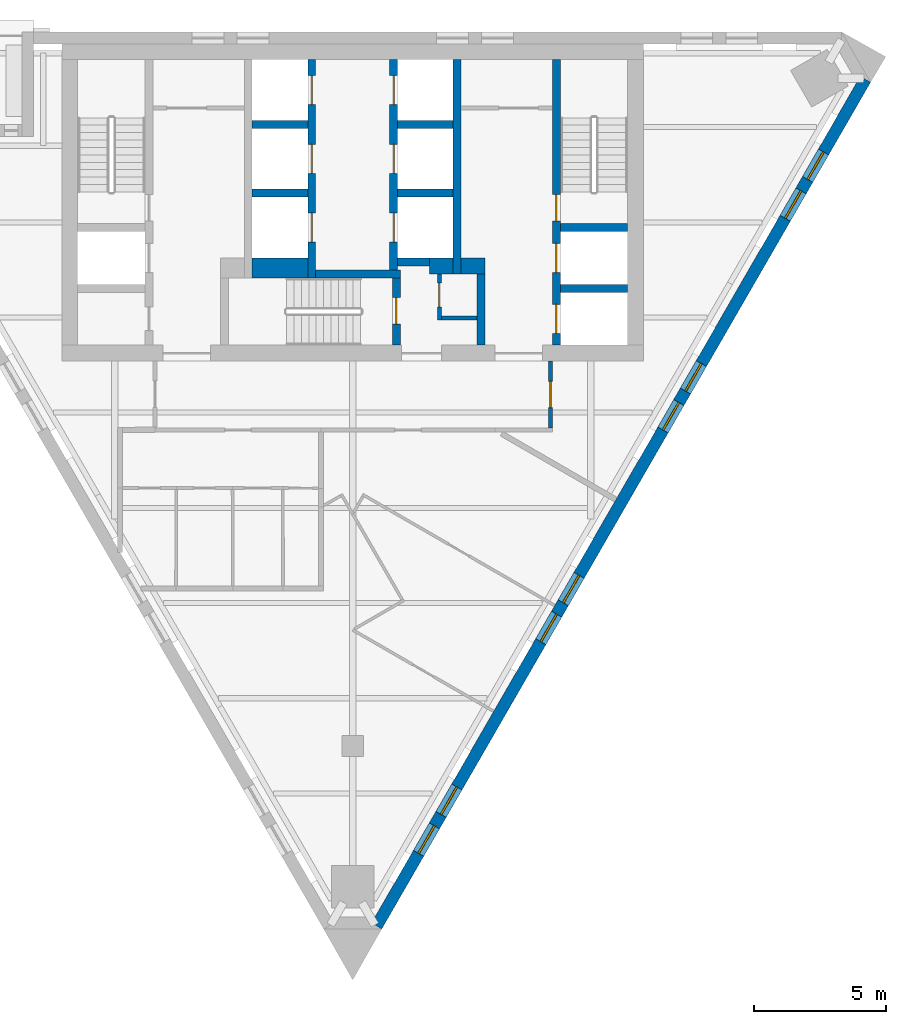
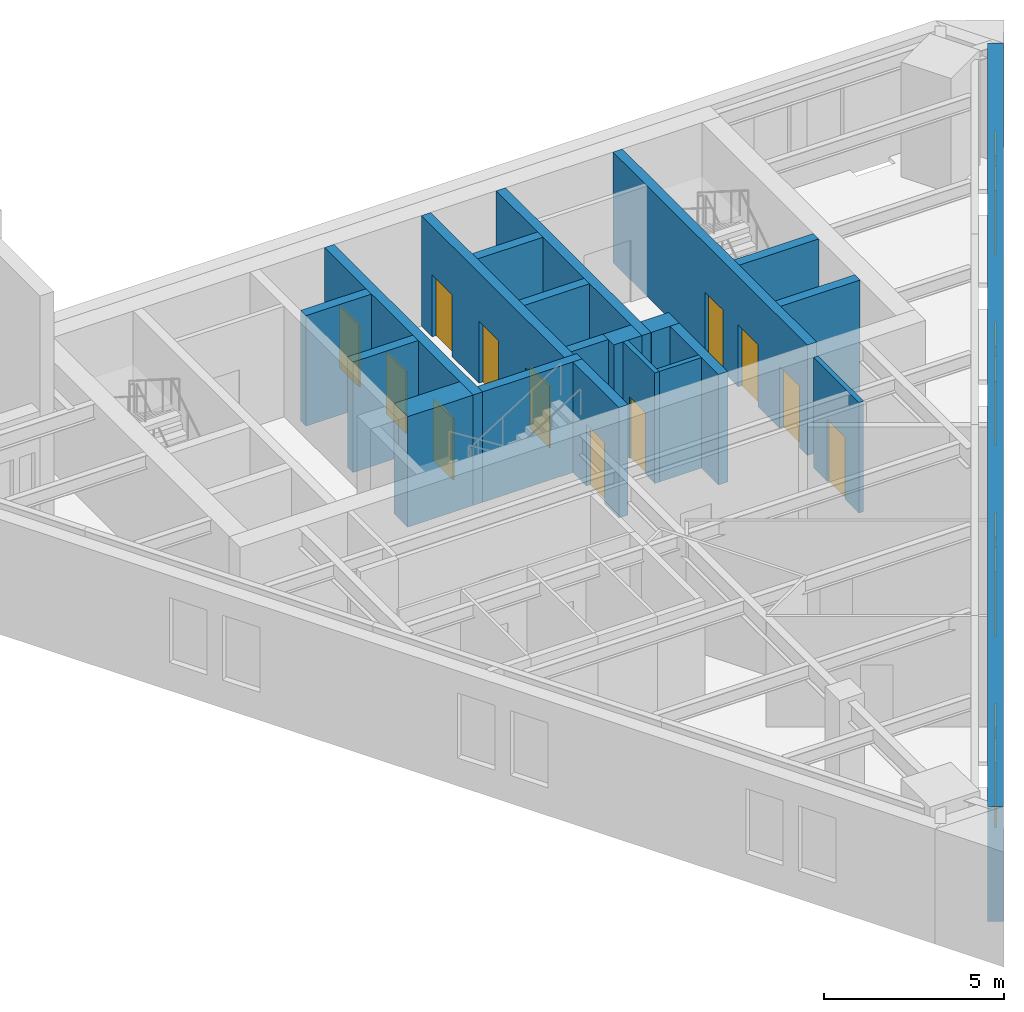
# One storey, part 4 of 6: 21 walls, 12 doors, 8 windows, 20 openings.
"""IFC4 building model written with IfcOpenShell, lengths in metres."""

from ifc_helpers import new_model, si_unit, direction, frame, frame_2d, origin, place, context, subcontext, project, spatial, polyline, rectangle, outline, extrude, material, layer, layer_set, type_object, element, fill, save


model = new_model("IFC4")

# Units and contexts
model_context = context("Model", 3, precision=1e-05, world=origin(), true_north=direction((0.0, 1.0)))
body_context = subcontext(model_context, "Body", "Model", "MODEL_VIEW")
ifc_project = project(units=[si_unit("LENGTHUNIT", "METRE"), si_unit("AREAUNIT", "SQUARE_METRE"), si_unit("VOLUMEUNIT", "CUBIC_METRE"), si_unit("PLANEANGLEUNIT", "RADIAN"), si_unit("MASSUNIT", "GRAM", prefix="KILO")], contexts=[model_context])

# Site, building, storey
site_placement = place(None, origin())
site = spatial("IfcSite", under=ifc_project, at=site_placement, CompositionType="ELEMENT")
building_placement = place(site_placement, origin())
building = spatial("IfcBuilding", under=site, at=building_placement, Name="Aloe Facet Convention Tower", CompositionType="ELEMENT")
storey_placement = place(building_placement, frame((0.0, 0.0, 250.39990234375)))
storey = spatial("IfcBuildingStorey", under=building, at=storey_placement, Name="L61", CompositionType="ELEMENT", Elevation=250.39990234375)

# Wall, opening, door
ifc_material_1 = material(Name="Concrete blockwork partition", Category="masonry")
ifc_layer_1 = layer(ifc_material_1, 0.14990234375)
ifc_layer_set_1 = layer_set([ifc_layer_1], Name="CR-W-PART150")
wall_type_1 = type_object("IfcWallType", Name="CR-W-PART150", PredefinedType="PARTITIONING", material=ifc_layer_set_1)
wall_1_placement = place(storey_placement, frame((83.27490234375, 125.85009765625, 0.0), z_axis=(0.0, 0.0, 1.0), x_axis=(0.0, -1.0, 0.0)))
wall_1 = element("IfcWall", 1, at=wall_1_placement, inside=storey, type_object=wall_type_1, Name="Core partition L61-022", PredefinedType="PARTITIONING", context=body_context, shape_type="SweptSolid", body=[
    extrude(rectangle(XDim=1.75, YDim=0.14990234375, at=frame_2d((0.875, 0.0))), origin(), (0.0, 0.0, 1.0), 3.75),
])
opening_1_placement = place(wall_1_placement, frame((0.35009765625, 0.0, 0.0)))
opening_1 = element("IfcOpeningElement", 2, at=opening_1_placement, cuts=wall_1, Name="Opening L61-CD12", PredefinedType="OPENING", context=body_context, shape_type="SweptSolid", body=[
    extrude(rectangle(XDim=0.89990234375, YDim=2.10009765625, at=frame_2d((0.449951171875, 1.050048828125))), frame((0.0, 0.0849609375, 0.0), z_axis=(0.0, -1.0, 0.0), x_axis=(1.0, 0.0, 0.0)), (0.0, 0.0, 1.0), 0.169921875),
])
ifc_material_2 = material(Name="Steel fire-resisting door set FD60", Category="steel")
door_type_1 = type_object("IfcDoorType", Name="CR-D-REFUGE-900-FD60-SRIGHT", OperationType="SINGLE_SWING_RIGHT", PredefinedType="DOOR", material=ifc_material_2)
door_1_placement = place(opening_1_placement, origin())
door_1 = element("IfcDoor", 3, at=door_1_placement, inside=storey, type_object=door_type_1, Name="Core door L61-CD12", OperationType="SINGLE_SWING_RIGHT", OverallHeight=2.10009765625, OverallWidth=0.89990234375, PredefinedType="DOOR", context=body_context, shape_type="SweptSolid", body=[
    extrude(rectangle(XDim=0.89990234375, YDim=2.10009765625, at=frame_2d((0.449951171875, 1.050048828125))), frame((0.0, 0.02490234375, 0.0), z_axis=(0.0, -1.0, 0.0), x_axis=(1.0, 0.0, 0.0)), (0.0, 0.0, 1.0), 0.050048828125),
])
fill(opening_1, door_1)

# Walls
wall_2_placement = place(storey_placement, frame((83.35009765625, 124.175048828125, 0.0), z_axis=(0.0, 0.0, 1.0), x_axis=(1.0, 0.0, 0.0)))
element("IfcWall", 4, at=wall_2_placement, inside=storey, type_object=wall_type_1, Name="Core partition L61-023", PredefinedType="PARTITIONING", context=body_context, shape_type="SweptSolid", body=[
    extrude(rectangle(XDim=1.349853515625, YDim=0.14990234375, at=frame_2d((0.6748046875, 0.0))), origin(), (0.0, 0.0, 1.0), 3.75),
])
ifc_material_3 = material(Name="Concrete C50/60", Category="concrete")
ifc_layer_2 = layer(ifc_material_3, 0.300048828125)
ifc_layer_set_2 = layer_set([ifc_layer_2], Name="CR-W-RC300-C5060")
wall_type_2 = type_object("IfcWallType", Name="CR-W-RC300-C5060", PredefinedType="SOLIDWALL", material=ifc_layer_set_2)
for number, where, z_axis, x_axis, name in (
    (5, (76.199951171875, 131.5, 0.0), (0.0, 0.0, 1.0), (1.0, 0.0, 0.0), "Core wall L61-011"),
    (6, (76.199951171875, 128.89990234375, 0.0), (0.0, 0.0, 1.0), (1.0, 0.0, 0.0), "Core wall L61-012"),
):
    element("IfcWall", number, at=place(storey_placement, frame(where, z_axis=z_axis, x_axis=x_axis)), inside=storey, type_object=wall_type_2, Name=name, PredefinedType="SOLIDWALL", context=body_context, shape_type="SweptSolid", body=[
        extrude(rectangle(XDim=2.10009765625, YDim=0.300048828125, at=frame_2d((1.050048828125, 0.0))), origin(), (0.0, 0.0, 1.0), 3.75),
    ])

# Wall, openings, doors
wall_3_placement = place(storey_placement, frame((78.449951171875, 133.949951171875, 0.0), z_axis=(0.0, 0.0, 1.0), x_axis=(0.0, -1.0, 0.0)))
wall_3 = element("IfcWall", 7, at=wall_3_placement, inside=storey, type_object=wall_type_2, Name="Core wall L61-014", PredefinedType="SOLIDWALL", context=body_context, shape_type="SweptSolid", body=[
    extrude(rectangle(XDim=8.25, YDim=0.300048828125, at=frame_2d((4.125, 0.0))), origin(), (0.0, 0.0, 1.0), 3.75),
])
opening_2_placement = place(wall_3_placement, frame((0.60009765625, 0.0, 0.0)))
opening_2 = element("IfcOpeningElement", 8, at=opening_2_placement, cuts=wall_3, Name="Opening LD-B1-L61", PredefinedType="OPENING", context=body_context, shape_type="SweptSolid", body=[
    extrude(rectangle(XDim=1.10009765625, YDim=2.10009765625, at=frame_2d((0.550048828125, 1.050048828125))), frame((0.0, 0.16015625, 0.0), z_axis=(0.0, -1.0, 0.0), x_axis=(1.0, 0.0, 0.0)), (0.0, 0.0, 1.0), 0.320068359375),
])
opening_3_placement = place(wall_3_placement, frame((3.199951171875, 0.0, 0.0)))
opening_3 = element("IfcOpeningElement", 9, at=opening_3_placement, cuts=wall_3, Name="Opening LD-B2-L61", PredefinedType="OPENING", context=body_context, shape_type="SweptSolid", body=[
    extrude(rectangle(XDim=1.10009765625, YDim=2.10009765625, at=frame_2d((0.550048828125, 1.050048828125))), frame((0.0, 0.16015625, 0.0), z_axis=(0.0, -1.0, 0.0), x_axis=(1.0, 0.0, 0.0)), (0.0, 0.0, 1.0), 0.320068359375),
])
opening_4_placement = place(wall_3_placement, frame((5.800048828125, 0.0, 0.0)))
opening_4 = element("IfcOpeningElement", 10, at=opening_4_placement, cuts=wall_3, Name="Opening LD-B3-L61", PredefinedType="OPENING", context=body_context, shape_type="SweptSolid", body=[
    extrude(rectangle(XDim=1.10009765625, YDim=2.10009765625, at=frame_2d((0.550048828125, 1.050048828125))), frame((0.0, 0.16015625, 0.0), z_axis=(0.0, -1.0, 0.0), x_axis=(1.0, 0.0, 0.0)), (0.0, 0.0, 1.0), 0.320068359375),
])
ifc_material_4 = material(Name="Stainless steel sliding landing door", Category="steel")
door_type_2 = type_object("IfcDoorType", Name="CR-LD-1100-FD60-RIGHT", OperationType="SLIDING_TO_RIGHT", PredefinedType="DOOR", material=ifc_material_4)
door_2_placement = place(opening_2_placement, origin())
door_2 = element("IfcDoor", 11, at=door_2_placement, inside=storey, type_object=door_type_2, Name="Landing door B1 L61", OperationType="SLIDING_TO_RIGHT", OverallHeight=2.10009765625, OverallWidth=1.10009765625, PredefinedType="DOOR", context=body_context, shape_type="SweptSolid", body=[
    extrude(rectangle(XDim=1.10009765625, YDim=2.10009765625, at=frame_2d((0.550048828125, 1.050048828125))), frame((0.0, 0.02490234375, 0.0), z_axis=(0.0, -1.0, 0.0), x_axis=(1.0, 0.0, 0.0)), (0.0, 0.0, 1.0), 0.050048828125),
])
fill(opening_2, door_2)
door_3_placement = place(opening_3_placement, origin())
door_3 = element("IfcDoor", 12, at=door_3_placement, inside=storey, type_object=door_type_2, Name="Landing door B2 L61", OperationType="SLIDING_TO_RIGHT", OverallHeight=2.10009765625, OverallWidth=1.10009765625, PredefinedType="DOOR", context=body_context, shape_type="SweptSolid", body=[
    extrude(rectangle(XDim=1.10009765625, YDim=2.10009765625, at=frame_2d((0.550048828125, 1.050048828125))), frame((0.0, 0.02490234375, 0.0), z_axis=(0.0, -1.0, 0.0), x_axis=(1.0, 0.0, 0.0)), (0.0, 0.0, 1.0), 0.050048828125),
])
fill(opening_3, door_3)
door_4_placement = place(opening_4_placement, origin())
door_4 = element("IfcDoor", 13, at=door_4_placement, inside=storey, type_object=door_type_2, Name="Landing door B3 L61", OperationType="SLIDING_TO_RIGHT", OverallHeight=2.10009765625, OverallWidth=1.10009765625, PredefinedType="DOOR", context=body_context, shape_type="SweptSolid", body=[
    extrude(rectangle(XDim=1.10009765625, YDim=2.10009765625, at=frame_2d((0.550048828125, 1.050048828125))), frame((0.0, 0.02490234375, 0.0), z_axis=(0.0, -1.0, 0.0), x_axis=(1.0, 0.0, 0.0)), (0.0, 0.0, 1.0), 0.050048828125),
])
fill(opening_4, door_4)

# Wall
wall_4_placement = place(storey_placement, frame((78.60009765625, 125.85009765625, 0.0), z_axis=(0.0, 0.0, 1.0), x_axis=(1.0, 0.0, 0.0)))
element("IfcWall", 14, at=wall_4_placement, inside=storey, type_object=wall_type_2, Name="Core wall L61-015", PredefinedType="SOLIDWALL", context=body_context, shape_type="SweptSolid", body=[
    extrude(rectangle(XDim=3.199951171875, YDim=0.300048828125, at=frame_2d((1.60009765625, 0.0))), origin(), (0.0, 0.0, 1.0), 3.75),
])

# Wall, openings, doors
wall_5_placement = place(storey_placement, frame((81.550048828125, 133.949951171875, 0.0), z_axis=(0.0, 0.0, 1.0), x_axis=(0.0, -1.0, 0.0)))
wall_5 = element("IfcWall", 15, at=wall_5_placement, inside=storey, type_object=wall_type_2, Name="Core wall L61-016", PredefinedType="SOLIDWALL", context=body_context, shape_type="SweptSolid", body=[
    extrude(rectangle(XDim=7.949951171875, YDim=0.300048828125, at=frame_2d((3.97509765625, 0.0))), origin(), (0.0, 0.0, 1.0), 3.75),
])
opening_5_placement = place(wall_5_placement, frame((0.60009765625, 0.0, 0.0)))
opening_5 = element("IfcOpeningElement", 16, at=opening_5_placement, cuts=wall_5, Name="Opening LD-B4-L61", PredefinedType="OPENING", context=body_context, shape_type="SweptSolid", body=[
    extrude(rectangle(XDim=1.10009765625, YDim=2.10009765625, at=frame_2d((0.550048828125, 1.050048828125))), frame((0.0, 0.16015625, 0.0), z_axis=(0.0, -1.0, 0.0), x_axis=(1.0, 0.0, 0.0)), (0.0, 0.0, 1.0), 0.320068359375),
])
opening_6_placement = place(wall_5_placement, frame((3.199951171875, 0.0, 0.0)))
opening_6 = element("IfcOpeningElement", 17, at=opening_6_placement, cuts=wall_5, Name="Opening LD-B5-L61", PredefinedType="OPENING", context=body_context, shape_type="SweptSolid", body=[
    extrude(rectangle(XDim=1.10009765625, YDim=2.10009765625, at=frame_2d((0.550048828125, 1.050048828125))), frame((0.0, 0.16015625, 0.0), z_axis=(0.0, -1.0, 0.0), x_axis=(1.0, 0.0, 0.0)), (0.0, 0.0, 1.0), 0.320068359375),
])
opening_7_placement = place(wall_5_placement, frame((5.800048828125, 0.0, 0.0)))
opening_7 = element("IfcOpeningElement", 18, at=opening_7_placement, cuts=wall_5, Name="Opening LD-B6-L61", PredefinedType="OPENING", context=body_context, shape_type="SweptSolid", body=[
    extrude(rectangle(XDim=1.10009765625, YDim=2.10009765625, at=frame_2d((0.550048828125, 1.050048828125))), frame((0.0, 0.16015625, 0.0), z_axis=(0.0, -1.0, 0.0), x_axis=(1.0, 0.0, 0.0)), (0.0, 0.0, 1.0), 0.320068359375),
])
ifc_material_5 = material(Name="Stainless steel sliding landing door", Category="steel")
door_type_3 = type_object("IfcDoorType", Name="CR-LD-1100-FD60-_LEFT", OperationType="SLIDING_TO_LEFT", PredefinedType="DOOR", material=ifc_material_5)
door_5_placement = place(opening_5_placement, origin())
door_5 = element("IfcDoor", 19, at=door_5_placement, inside=storey, type_object=door_type_3, Name="Landing door B4 L61", OperationType="SLIDING_TO_LEFT", OverallHeight=2.10009765625, OverallWidth=1.10009765625, PredefinedType="DOOR", context=body_context, shape_type="SweptSolid", body=[
    extrude(rectangle(XDim=1.10009765625, YDim=2.10009765625, at=frame_2d((0.550048828125, 1.050048828125))), frame((0.0, 0.02490234375, 0.0), z_axis=(0.0, -1.0, 0.0), x_axis=(1.0, 0.0, 0.0)), (0.0, 0.0, 1.0), 0.050048828125),
])
fill(opening_5, door_5)
door_6_placement = place(opening_6_placement, origin())
door_6 = element("IfcDoor", 20, at=door_6_placement, inside=storey, type_object=door_type_3, Name="Landing door B5 L61", OperationType="SLIDING_TO_LEFT", OverallHeight=2.10009765625, OverallWidth=1.10009765625, PredefinedType="DOOR", context=body_context, shape_type="SweptSolid", body=[
    extrude(rectangle(XDim=1.10009765625, YDim=2.10009765625, at=frame_2d((0.550048828125, 1.050048828125))), frame((0.0, 0.02490234375, 0.0), z_axis=(0.0, -1.0, 0.0), x_axis=(1.0, 0.0, 0.0)), (0.0, 0.0, 1.0), 0.050048828125),
])
fill(opening_6, door_6)
door_7_placement = place(opening_7_placement, origin())
door_7 = element("IfcDoor", 21, at=door_7_placement, inside=storey, type_object=door_type_3, Name="Landing door B6 L61", OperationType="SLIDING_TO_LEFT", OverallHeight=2.10009765625, OverallWidth=1.10009765625, PredefinedType="DOOR", context=body_context, shape_type="SweptSolid", body=[
    extrude(rectangle(XDim=1.10009765625, YDim=2.10009765625, at=frame_2d((0.550048828125, 1.050048828125))), frame((0.0, 0.02490234375, 0.0), z_axis=(0.0, -1.0, 0.0), x_axis=(1.0, 0.0, 0.0)), (0.0, 0.0, 1.0), 0.050048828125),
])
fill(opening_7, door_7)

# Wall, opening, door
wall_6_placement = place(storey_placement, frame((81.64990234375, 125.699951171875, 0.0), z_axis=(0.0, 0.0, 1.0), x_axis=(0.0, -1.0, 0.0)))
wall_6 = element("IfcWall", 22, at=wall_6_placement, inside=storey, type_object=wall_type_2, Name="Core wall L61-017", PredefinedType="SOLIDWALL", context=body_context, shape_type="SweptSolid", body=[
    extrude(rectangle(XDim=2.550048828125, YDim=0.300048828125, at=frame_2d((1.27490234375, 0.0))), origin(), (0.0, 0.0, 1.0), 3.75),
])
opening_8_placement = place(wall_6_placement, frame((0.75, 0.0, 0.0)))
opening_8 = element("IfcOpeningElement", 23, at=opening_8_placement, cuts=wall_6, Name="Opening L61-CD18", PredefinedType="OPENING", context=body_context, shape_type="SweptSolid", body=[
    extrude(rectangle(XDim=1.0, YDim=2.10009765625, at=frame_2d((0.5, 1.050048828125))), frame((0.0, 0.16015625, 0.0), z_axis=(0.0, -1.0, 0.0), x_axis=(1.0, 0.0, 0.0)), (0.0, 0.0, 1.0), 0.320068359375),
])
ifc_material_6 = material(Name="Steel fire-resisting door set FD120", Category="steel")
door_type_4 = type_object("IfcDoorType", Name="CR-D-STAIR-1000-FD120-SLEFT", OperationType="SINGLE_SWING_LEFT", PredefinedType="DOOR", material=ifc_material_6)
door_8_placement = place(opening_8_placement, origin())
door_8 = element("IfcDoor", 24, at=door_8_placement, inside=storey, type_object=door_type_4, Name="Core door L61-CD18", OperationType="SINGLE_SWING_LEFT", OverallHeight=2.10009765625, OverallWidth=1.0, PredefinedType="DOOR", context=body_context, shape_type="SweptSolid", body=[
    extrude(rectangle(XDim=1.0, YDim=2.10009765625, at=frame_2d((0.5, 1.050048828125))), frame((0.0, 0.02490234375, 0.0), z_axis=(0.0, -1.0, 0.0), x_axis=(1.0, 0.0, 0.0)), (0.0, 0.0, 1.0), 0.050048828125),
])
fill(opening_8, door_8)

# Walls
for number, where, z_axis, x_axis, name in (
    (25, (81.699951171875, 131.5, 0.0), (0.0, 0.0, 1.0), (1.0, 0.0, 0.0), "Core wall L61-018"),
    (26, (81.699951171875, 128.89990234375, 0.0), (0.0, 0.0, 1.0), (1.0, 0.0, 0.0), "Core wall L61-019"),
):
    element("IfcWall", number, at=place(storey_placement, frame(where, z_axis=z_axis, x_axis=x_axis)), inside=storey, type_object=wall_type_2, Name=name, PredefinedType="SOLIDWALL", context=body_context, shape_type="SweptSolid", body=[
        extrude(rectangle(XDim=2.10009765625, YDim=0.300048828125, at=frame_2d((1.050048828125, 0.0))), origin(), (0.0, 0.0, 1.0), 3.75),
    ])
wall_7_placement = place(storey_placement, frame((81.699951171875, 126.300048828125, 0.0), z_axis=(0.0, 0.0, 1.0), x_axis=(1.0, 0.0, 0.0)))
element("IfcWall", 27, at=wall_7_placement, inside=storey, type_object=wall_type_2, Name="Core wall L61-020", PredefinedType="SOLIDWALL", context=body_context, shape_type="SweptSolid", body=[
    extrude(rectangle(XDim=1.199951171875, YDim=0.300048828125, at=frame_2d((0.60009765625, 0.0))), origin(), (0.0, 0.0, 1.0), 3.75),
])
wall_8_placement = place(storey_placement, frame((83.949951171875, 133.949951171875, 0.0), z_axis=(0.0, 0.0, 1.0), x_axis=(0.0, -1.0, 0.0)))
element("IfcWall", 28, at=wall_8_placement, inside=storey, type_object=wall_type_2, Name="Core wall L61-024", PredefinedType="SOLIDWALL", context=body_context, shape_type="SweptSolid", body=[
    extrude(rectangle(XDim=8.099853515625, YDim=0.300048828125, at=frame_2d((4.0498046875, 0.0))), origin(), (0.0, 0.0, 1.0), 3.75),
])
wall_9_placement = place(storey_placement, frame((84.85009765625, 125.85009765625, 0.0), z_axis=(0.0, 0.0, 1.0), x_axis=(0.0, -1.0, 0.0)))
element("IfcWall", 29, at=wall_9_placement, inside=storey, type_object=wall_type_2, Name="Core wall L61-027", PredefinedType="SOLIDWALL", context=body_context, shape_type="SweptSolid", body=[
    extrude(rectangle(XDim=2.7001953125, YDim=0.300048828125, at=frame_2d((1.35009765625, 0.0))), origin(), (0.0, 0.0, 1.0), 3.75),
])

# Wall, openings, doors
wall_10_placement = place(storey_placement, frame((87.699951171875, 133.949951171875, 0.0), z_axis=(0.0, 0.0, 1.0), x_axis=(0.0, -1.0, 0.0)))
wall_10 = element("IfcWall", 30, at=wall_10_placement, inside=storey, type_object=wall_type_2, Name="Core wall L61-028", PredefinedType="SOLIDWALL", context=body_context, shape_type="SweptSolid", body=[
    extrude(rectangle(XDim=10.800048828125, YDim=0.300048828125, at=frame_2d((5.39990234375, 0.0))), origin(), (0.0, 0.0, 1.0), 3.75),
])
opening_9_placement = place(wall_10_placement, frame((6.949951171875, 0.0, 0.0)))
opening_9 = element("IfcOpeningElement", 31, at=opening_9_placement, cuts=wall_10, Name="Opening LD-FF2-L61", PredefinedType="OPENING", context=body_context, shape_type="SweptSolid", body=[
    extrude(rectangle(XDim=1.10009765625, YDim=2.10009765625, at=frame_2d((0.550048828125, 1.050048828125))), frame((0.0, 0.16015625, 0.0), z_axis=(0.0, -1.0, 0.0), x_axis=(1.0, 0.0, 0.0)), (0.0, 0.0, 1.0), 0.320068359375),
])
opening_10_placement = place(wall_10_placement, frame((5.10009765625, 0.0, 0.0)))
opening_10 = element("IfcOpeningElement", 32, at=opening_10_placement, cuts=wall_10, Name="Opening L61-CD17", PredefinedType="OPENING", context=body_context, shape_type="SweptSolid", body=[
    extrude(rectangle(XDim=1.0, YDim=2.10009765625, at=frame_2d((0.5, 1.050048828125))), frame((0.0, 0.16015625, 0.0), z_axis=(0.0, -1.0, 0.0), x_axis=(1.0, 0.0, 0.0)), (0.0, 0.0, 1.0), 0.320068359375),
])
opening_11_placement = place(wall_10_placement, frame((9.25, 0.0, 0.0)))
opening_11 = element("IfcOpeningElement", 33, at=opening_11_placement, cuts=wall_10, Name="Opening LD-SV1-L61", PredefinedType="OPENING", context=body_context, shape_type="SweptSolid", body=[
    extrude(rectangle(XDim=1.10009765625, YDim=2.10009765625, at=frame_2d((0.550048828125, 1.050048828125))), frame((0.0, 0.16015625, 0.0), z_axis=(0.0, -1.0, 0.0), x_axis=(1.0, 0.0, 0.0)), (0.0, 0.0, 1.0), 0.320068359375),
])
door_9_placement = place(opening_10_placement, origin())
door_9 = element("IfcDoor", 34, at=door_9_placement, inside=storey, type_object=door_type_4, Name="Core door L61-CD17", OperationType="SINGLE_SWING_LEFT", OverallHeight=2.10009765625, OverallWidth=1.0, PredefinedType="DOOR", context=body_context, shape_type="SweptSolid", body=[
    extrude(rectangle(XDim=1.0, YDim=2.10009765625, at=frame_2d((0.5, 1.050048828125))), frame((0.0, 0.02490234375, 0.0), z_axis=(0.0, -1.0, 0.0), x_axis=(1.0, 0.0, 0.0)), (0.0, 0.0, 1.0), 0.050048828125),
])
fill(opening_10, door_9)
ifc_material_7 = material(Name="Stainless steel sliding landing door", Category="steel")
door_type_5 = type_object("IfcDoorType", Name="CR-LD-1100-FD120-_LEFT", OperationType="SLIDING_TO_LEFT", PredefinedType="DOOR", material=ifc_material_7)
door_10_placement = place(opening_9_placement, origin())
door_10 = element("IfcDoor", 35, at=door_10_placement, inside=storey, type_object=door_type_5, Name="Landing door FF2 L61", OperationType="SLIDING_TO_LEFT", OverallHeight=2.10009765625, OverallWidth=1.10009765625, PredefinedType="DOOR", context=body_context, shape_type="SweptSolid", body=[
    extrude(rectangle(XDim=1.10009765625, YDim=2.10009765625, at=frame_2d((0.550048828125, 1.050048828125))), frame((0.0, 0.02490234375, 0.0), z_axis=(0.0, -1.0, 0.0), x_axis=(1.0, 0.0, 0.0)), (0.0, 0.0, 1.0), 0.050048828125),
])
fill(opening_9, door_10)
door_11_placement = place(opening_11_placement, origin())
door_11 = element("IfcDoor", 36, at=door_11_placement, inside=storey, type_object=door_type_5, Name="Landing door SV1 L61", OperationType="SLIDING_TO_LEFT", OverallHeight=2.10009765625, OverallWidth=1.10009765625, PredefinedType="DOOR", context=body_context, shape_type="SweptSolid", body=[
    extrude(rectangle(XDim=1.10009765625, YDim=2.10009765625, at=frame_2d((0.550048828125, 1.050048828125))), frame((0.0, 0.02490234375, 0.0), z_axis=(0.0, -1.0, 0.0), x_axis=(1.0, 0.0, 0.0)), (0.0, 0.0, 1.0), 0.050048828125),
])
fill(opening_11, door_11)

# Walls
for number, where, z_axis, x_axis, name in (
    (37, (87.85009765625, 127.60009765625, 0.0), (0.0, 0.0, 1.0), (1.0, 0.0, 0.0), "Core wall L61-029"),
    (38, (87.85009765625, 125.300048828125, 0.0), (0.0, 0.0, 1.0), (1.0, 0.0, 0.0), "Core wall L61-030"),
):
    element("IfcWall", number, at=place(storey_placement, frame(where, z_axis=z_axis, x_axis=x_axis)), inside=storey, type_object=wall_type_2, Name=name, PredefinedType="SOLIDWALL", context=body_context, shape_type="SweptSolid", body=[
        extrude(rectangle(XDim=2.5498046875, YDim=0.300048828125, at=frame_2d((1.27490234375, 0.0))), origin(), (0.0, 0.0, 1.0), 3.75),
    ])
ifc_material_8 = material(Name="Concrete C50/60", Category="concrete")
ifc_layer_3 = layer(ifc_material_8, 0.60009765625)
ifc_layer_set_3 = layer_set([ifc_layer_3], Name="CR-W-RC600-C5060")
wall_type_3 = type_object("IfcWallType", Name="CR-W-RC600-C5060", PredefinedType="SOLIDWALL", material=ifc_layer_set_3)
wall_11_placement = place(storey_placement, frame((82.89990234375, 126.14990234375, 0.0), z_axis=(0.0, 0.0, 1.0), x_axis=(1.0, 0.0, 0.0)))
element("IfcWall", 39, at=wall_11_placement, inside=storey, type_object=wall_type_3, Name="Core wall L61-021", PredefinedType="SOLIDWALL", context=body_context, shape_type="SweptSolid", body=[
    extrude(rectangle(XDim=0.900146484375, YDim=0.60009765625, at=frame_2d((0.4501953125, 0.0))), origin(), (0.0, 0.0, 1.0), 3.75),
])
wall_12_placement = place(storey_placement, frame((84.10009765625, 126.14990234375, 0.0), z_axis=(0.0, 0.0, 1.0), x_axis=(1.0, 0.0, 0.0)))
element("IfcWall", 40, at=wall_12_placement, inside=storey, type_object=wall_type_3, Name="Core wall L61-026", PredefinedType="SOLIDWALL", context=body_context, shape_type="SweptSolid", body=[
    extrude(rectangle(XDim=0.89990234375, YDim=0.60009765625, at=frame_2d((0.449951171875, 0.0))), origin(), (0.0, 0.0, 1.0), 3.75),
])
ifc_material_9 = material(Name="Concrete C50/60", Category="concrete")
ifc_layer_4 = layer(ifc_material_9, 0.75)
ifc_layer_set_4 = layer_set([ifc_layer_4], Name="CR-W-RC750-C5060")
wall_type_4 = type_object("IfcWallType", Name="CR-W-RC750-C5060", PredefinedType="SOLIDWALL", material=ifc_layer_set_4)
wall_13_placement = place(storey_placement, frame((76.199951171875, 126.074951171875, 0.0), z_axis=(0.0, 0.0, 1.0), x_axis=(1.0, 0.0, 0.0)))
element("IfcWall", 41, at=wall_13_placement, inside=storey, type_object=wall_type_4, Name="Core wall L61-013", PredefinedType="SOLIDWALL", context=body_context, shape_type="SweptSolid", body=[
    extrude(rectangle(XDim=2.10009765625, YDim=0.75, at=frame_2d((1.050048828125, 0.0))), origin(), (0.0, 0.0, 1.0), 3.75),
])

# Wall, openings, windows
ifc_material_10 = material(Name="Precast concrete C40/50", Category="concrete")
ifc_layer_5 = layer(ifc_material_10, 0.449951171875)
ifc_layer_set_5 = layer_set([ifc_layer_5], Name="EV-WALL-STONE")
wall_type_5 = type_object("IfcWallType", Name="EV-WALL-STONE", PredefinedType="SOLIDWALL", material=ifc_layer_set_5)
wall_14_placement = place(storey_placement, frame((80.905029296875, 101.188232421875, -0.14990234375), z_axis=(0.0, 0.0, 1.0), x_axis=(0.500002536638, 0.866023939251, 0.0)))
wall_14 = element("IfcWall", 42, at=wall_14_placement, inside=storey, type_object=wall_type_5, Name="EW-L61-E01", PredefinedType="SOLIDWALL", context=body_context, shape_type="SweptSolid", body=[
    extrude(outline(polyline([(36.972412109375, 0.0), (36.972412109375, 3.89990234375), (0.0, 3.89990234375), (0.0, 0.0), (36.972412109375, 0.0)])), frame((0.0, 0.22509765625, 0.0), z_axis=(0.0, -1.0, 0.0), x_axis=(1.0, 0.0, 0.0)), (0.0, 0.0, 1.0), 0.449951171875),
])
opening_12_placement = place(wall_14_placement, frame((3.171630859375, 0.0, 0.949951171875)))
opening_12 = element("IfcOpeningElement", 43, at=opening_12_placement, cuts=wall_14, Name="Opening W-L61-E01", PredefinedType="OPENING", context=body_context, shape_type="SweptSolid", body=[
    extrude(rectangle(XDim=1.199951171875, YDim=2.199951171875, at=frame_2d((0.60009765625, 1.10009765625))), frame((0.0, 0.23486328125, 0.0), z_axis=(0.0, -1.0, 0.0), x_axis=(1.0, 0.0, 0.0)), (0.0, 0.0, 1.0), 0.469970703125),
])
opening_13_placement = place(wall_14_placement, frame((4.87158203125, 0.0, 0.949951171875)))
opening_13 = element("IfcOpeningElement", 44, at=opening_13_placement, cuts=wall_14, Name="Opening W-L61-E02", PredefinedType="OPENING", context=body_context, shape_type="SweptSolid", body=[
    extrude(rectangle(XDim=1.199951171875, YDim=2.199951171875, at=frame_2d((0.60009765625, 1.10009765625))), frame((0.0, 0.23486328125, 0.0), z_axis=(0.0, -1.0, 0.0), x_axis=(1.0, 0.0, 0.0)), (0.0, 0.0, 1.0), 0.469970703125),
])
opening_14_placement = place(wall_14_placement, frame((12.41455078125, 0.0, 0.949951171875)))
opening_14 = element("IfcOpeningElement", 45, at=opening_14_placement, cuts=wall_14, Name="Opening W-L61-E03", PredefinedType="OPENING", context=body_context, shape_type="SweptSolid", body=[
    extrude(rectangle(XDim=1.199951171875, YDim=2.199951171875, at=frame_2d((0.60009765625, 1.10009765625))), frame((0.0, 0.23486328125, 0.0), z_axis=(0.0, -1.0, 0.0), x_axis=(1.0, 0.0, 0.0)), (0.0, 0.0, 1.0), 0.469970703125),
])
opening_15_placement = place(wall_14_placement, frame((14.114501953125, 0.0, 0.949951171875)))
opening_15 = element("IfcOpeningElement", 46, at=opening_15_placement, cuts=wall_14, Name="Opening W-L61-E04", PredefinedType="OPENING", context=body_context, shape_type="SweptSolid", body=[
    extrude(rectangle(XDim=1.199951171875, YDim=2.199951171875, at=frame_2d((0.60009765625, 1.10009765625))), frame((0.0, 0.23486328125, 0.0), z_axis=(0.0, -1.0, 0.0), x_axis=(1.0, 0.0, 0.0)), (0.0, 0.0, 1.0), 0.469970703125),
])
opening_16_placement = place(wall_14_placement, frame((21.65771484375, 0.0, 0.949951171875)))
opening_16 = element("IfcOpeningElement", 47, at=opening_16_placement, cuts=wall_14, Name="Opening W-L61-E05", PredefinedType="OPENING", context=body_context, shape_type="SweptSolid", body=[
    extrude(rectangle(XDim=1.199951171875, YDim=2.199951171875, at=frame_2d((0.60009765625, 1.10009765625))), frame((0.0, 0.23486328125, 0.0), z_axis=(0.0, -1.0, 0.0), x_axis=(1.0, 0.0, 0.0)), (0.0, 0.0, 1.0), 0.469970703125),
])
opening_17_placement = place(wall_14_placement, frame((23.357666015625, 0.0, 0.949951171875)))
opening_17 = element("IfcOpeningElement", 48, at=opening_17_placement, cuts=wall_14, Name="Opening W-L61-E06", PredefinedType="OPENING", context=body_context, shape_type="SweptSolid", body=[
    extrude(rectangle(XDim=1.199951171875, YDim=2.199951171875, at=frame_2d((0.60009765625, 1.10009765625))), frame((0.0, 0.23486328125, 0.0), z_axis=(0.0, -1.0, 0.0), x_axis=(1.0, 0.0, 0.0)), (0.0, 0.0, 1.0), 0.469970703125),
])
opening_18_placement = place(wall_14_placement, frame((30.90087890625, 0.0, 0.949951171875)))
opening_18 = element("IfcOpeningElement", 49, at=opening_18_placement, cuts=wall_14, Name="Opening W-L61-E07", PredefinedType="OPENING", context=body_context, shape_type="SweptSolid", body=[
    extrude(rectangle(XDim=1.199951171875, YDim=2.199951171875, at=frame_2d((0.60009765625, 1.10009765625))), frame((0.0, 0.23486328125, 0.0), z_axis=(0.0, -1.0, 0.0), x_axis=(1.0, 0.0, 0.0)), (0.0, 0.0, 1.0), 0.469970703125),
])
opening_19_placement = place(wall_14_placement, frame((32.600830078125, 0.0, 0.949951171875)))
opening_19 = element("IfcOpeningElement", 50, at=opening_19_placement, cuts=wall_14, Name="Opening W-L61-E08", PredefinedType="OPENING", context=body_context, shape_type="SweptSolid", body=[
    extrude(rectangle(XDim=1.199951171875, YDim=2.199951171875, at=frame_2d((0.60009765625, 1.10009765625))), frame((0.0, 0.23486328125, 0.0), z_axis=(0.0, -1.0, 0.0), x_axis=(1.0, 0.0, 0.0)), (0.0, 0.0, 1.0), 0.469970703125),
])
ifc_material_11 = material(Name="Aluminium frame, clear double glazing", Category="aluminium")
window_type = type_object("IfcWindowType", Name="EV-WIN-O12", PartitioningType="SINGLE_PANEL", PredefinedType="WINDOW", material=ifc_material_11)
window_1_placement = place(opening_12_placement, origin())
window_1 = element("IfcWindow", 51, at=window_1_placement, inside=storey, type_object=window_type, Name="W-L61-E01", OverallHeight=2.199951171875, OverallWidth=1.199951171875, PartitioningType="SINGLE_PANEL", PredefinedType="WINDOW", context=body_context, shape_type="SweptSolid", body=[
    extrude(rectangle(XDim=1.199951171875, YDim=2.199951171875, at=frame_2d((0.60009765625, 1.10009765625))), frame((0.0, 0.030029296875, 0.0), z_axis=(0.0, -1.0, 0.0), x_axis=(1.0, 0.0, 0.0)), (0.0, 0.0, 1.0), 0.06005859375),
])
fill(opening_12, window_1)
window_2_placement = place(opening_13_placement, origin())
window_2 = element("IfcWindow", 52, at=window_2_placement, inside=storey, type_object=window_type, Name="W-L61-E02", OverallHeight=2.199951171875, OverallWidth=1.199951171875, PartitioningType="SINGLE_PANEL", PredefinedType="WINDOW", context=body_context, shape_type="SweptSolid", body=[
    extrude(rectangle(XDim=1.199951171875, YDim=2.199951171875, at=frame_2d((0.60009765625, 1.10009765625))), frame((0.0, 0.030029296875, 0.0), z_axis=(0.0, -1.0, 0.0), x_axis=(1.0, 0.0, 0.0)), (0.0, 0.0, 1.0), 0.06005859375),
])
fill(opening_13, window_2)
window_3_placement = place(opening_14_placement, origin())
window_3 = element("IfcWindow", 53, at=window_3_placement, inside=storey, type_object=window_type, Name="W-L61-E03", OverallHeight=2.199951171875, OverallWidth=1.199951171875, PartitioningType="SINGLE_PANEL", PredefinedType="WINDOW", context=body_context, shape_type="SweptSolid", body=[
    extrude(rectangle(XDim=1.199951171875, YDim=2.199951171875, at=frame_2d((0.60009765625, 1.10009765625))), frame((0.0, 0.030029296875, 0.0), z_axis=(0.0, -1.0, 0.0), x_axis=(1.0, 0.0, 0.0)), (0.0, 0.0, 1.0), 0.06005859375),
])
fill(opening_14, window_3)
window_4_placement = place(opening_15_placement, origin())
window_4 = element("IfcWindow", 54, at=window_4_placement, inside=storey, type_object=window_type, Name="W-L61-E04", OverallHeight=2.199951171875, OverallWidth=1.199951171875, PartitioningType="SINGLE_PANEL", PredefinedType="WINDOW", context=body_context, shape_type="SweptSolid", body=[
    extrude(rectangle(XDim=1.199951171875, YDim=2.199951171875, at=frame_2d((0.60009765625, 1.10009765625))), frame((0.0, 0.030029296875, 0.0), z_axis=(0.0, -1.0, 0.0), x_axis=(1.0, 0.0, 0.0)), (0.0, 0.0, 1.0), 0.06005859375),
])
fill(opening_15, window_4)
window_5_placement = place(opening_16_placement, origin())
window_5 = element("IfcWindow", 55, at=window_5_placement, inside=storey, type_object=window_type, Name="W-L61-E05", OverallHeight=2.199951171875, OverallWidth=1.199951171875, PartitioningType="SINGLE_PANEL", PredefinedType="WINDOW", context=body_context, shape_type="SweptSolid", body=[
    extrude(rectangle(XDim=1.199951171875, YDim=2.199951171875, at=frame_2d((0.60009765625, 1.10009765625))), frame((0.0, 0.030029296875, 0.0), z_axis=(0.0, -1.0, 0.0), x_axis=(1.0, 0.0, 0.0)), (0.0, 0.0, 1.0), 0.06005859375),
])
fill(opening_16, window_5)
window_6_placement = place(opening_17_placement, origin())
window_6 = element("IfcWindow", 56, at=window_6_placement, inside=storey, type_object=window_type, Name="W-L61-E06", OverallHeight=2.199951171875, OverallWidth=1.199951171875, PartitioningType="SINGLE_PANEL", PredefinedType="WINDOW", context=body_context, shape_type="SweptSolid", body=[
    extrude(rectangle(XDim=1.199951171875, YDim=2.199951171875, at=frame_2d((0.60009765625, 1.10009765625))), frame((0.0, 0.030029296875, 0.0), z_axis=(0.0, -1.0, 0.0), x_axis=(1.0, 0.0, 0.0)), (0.0, 0.0, 1.0), 0.06005859375),
])
fill(opening_17, window_6)
window_7_placement = place(opening_18_placement, origin())
window_7 = element("IfcWindow", 57, at=window_7_placement, inside=storey, type_object=window_type, Name="W-L61-E07", OverallHeight=2.199951171875, OverallWidth=1.199951171875, PartitioningType="SINGLE_PANEL", PredefinedType="WINDOW", context=body_context, shape_type="SweptSolid", body=[
    extrude(rectangle(XDim=1.199951171875, YDim=2.199951171875, at=frame_2d((0.60009765625, 1.10009765625))), frame((0.0, 0.030029296875, 0.0), z_axis=(0.0, -1.0, 0.0), x_axis=(1.0, 0.0, 0.0)), (0.0, 0.0, 1.0), 0.06005859375),
])
fill(opening_18, window_7)
window_8_placement = place(opening_19_placement, origin())
window_8 = element("IfcWindow", 58, at=window_8_placement, inside=storey, type_object=window_type, Name="W-L61-E08", OverallHeight=2.199951171875, OverallWidth=1.199951171875, PartitioningType="SINGLE_PANEL", PredefinedType="WINDOW", context=body_context, shape_type="SweptSolid", body=[
    extrude(rectangle(XDim=1.199951171875, YDim=2.199951171875, at=frame_2d((0.60009765625, 1.10009765625))), frame((0.0, 0.030029296875, 0.0), z_axis=(0.0, -1.0, 0.0), x_axis=(1.0, 0.0, 0.0)), (0.0, 0.0, 1.0), 0.06005859375),
])
fill(opening_19, window_8)

# Wall, opening, door
ifc_material_12 = material(Name="Gypsum board partition on steel studs", Category="steel")
ifc_layer_6 = layer(ifc_material_12, 0.14990234375)
ifc_layer_set_6 = layer_set([ifc_layer_6], Name="IN-W-CORR")
wall_type_6 = type_object("IfcWallType", Name="IN-W-CORR", PredefinedType="PARTITIONING", material=ifc_layer_set_6)
wall_15_placement = place(storey_placement, frame((87.47509765625, 120.02490234375, 0.0), z_axis=(0.0, 0.0, 1.0), x_axis=(0.0, 1.0, 0.0)))
wall_15 = element("IfcWall", 59, at=wall_15_placement, inside=storey, type_object=wall_type_6, Name="Partition L61-W030", PredefinedType="PARTITIONING", context=body_context, shape_type="SweptSolid", body=[
    extrude(rectangle(XDim=2.525146484375, YDim=0.14990234375, at=frame_2d((1.2626953125, 0.0))), origin(), (0.0, 0.0, 1.0), 3.75),
])
opening_20_placement = place(wall_15_placement, frame((0.762451171875, 0.0, 0.0)))
opening_20 = element("IfcOpeningElement", 60, at=opening_20_placement, cuts=wall_15, Name="Opening L61-010", PredefinedType="OPENING", context=body_context, shape_type="SweptSolid", body=[
    extrude(rectangle(XDim=1.0, YDim=2.10009765625, at=frame_2d((0.5, 1.050048828125))), frame((0.0, 0.0849609375, 0.0), z_axis=(0.0, -1.0, 0.0), x_axis=(1.0, 0.0, 0.0)), (0.0, 0.0, 1.0), 0.169921875),
])
ifc_material_13 = material(Name="Timber door FD30S with vision panel", Category="wood")
door_type_6 = type_object("IfcDoorType", Name="IN-OFF-D-ENTRY", OperationType="SINGLE_SWING_LEFT", PredefinedType="DOOR", material=ifc_material_13)
door_12_placement = place(opening_20_placement, origin())
door_12 = element("IfcDoor", 61, at=door_12_placement, inside=storey, type_object=door_type_6, Name="Door L61-010", OperationType="SINGLE_SWING_LEFT", OverallHeight=2.10009765625, OverallWidth=1.0, PredefinedType="DOOR", context=body_context, shape_type="SweptSolid", body=[
    extrude(rectangle(XDim=1.0, YDim=2.10009765625, at=frame_2d((0.5, 1.050048828125))), frame((0.0, 0.02490234375, 0.0), z_axis=(0.0, -1.0, 0.0), x_axis=(1.0, 0.0, 0.0)), (0.0, 0.0, 1.0), 0.050048828125),
])
fill(opening_20, door_12)

save(model, "model.ifc")
